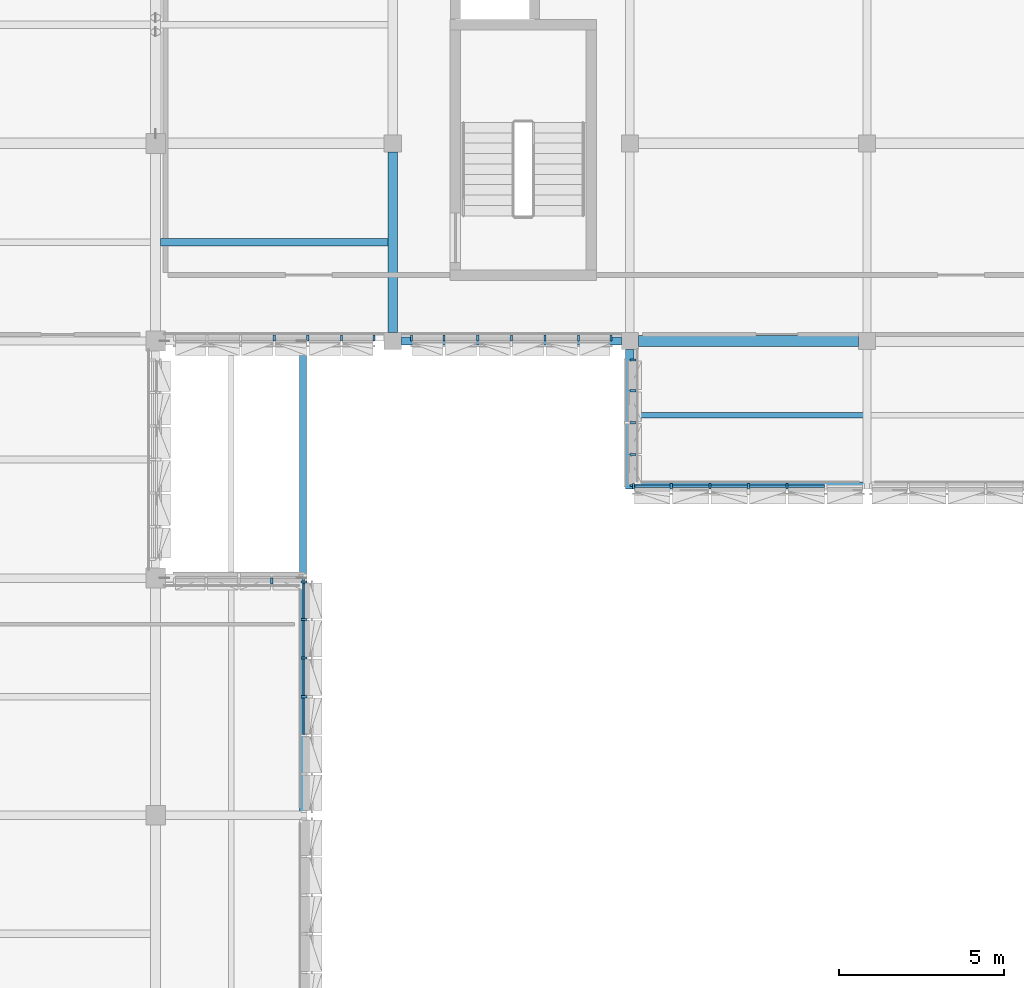
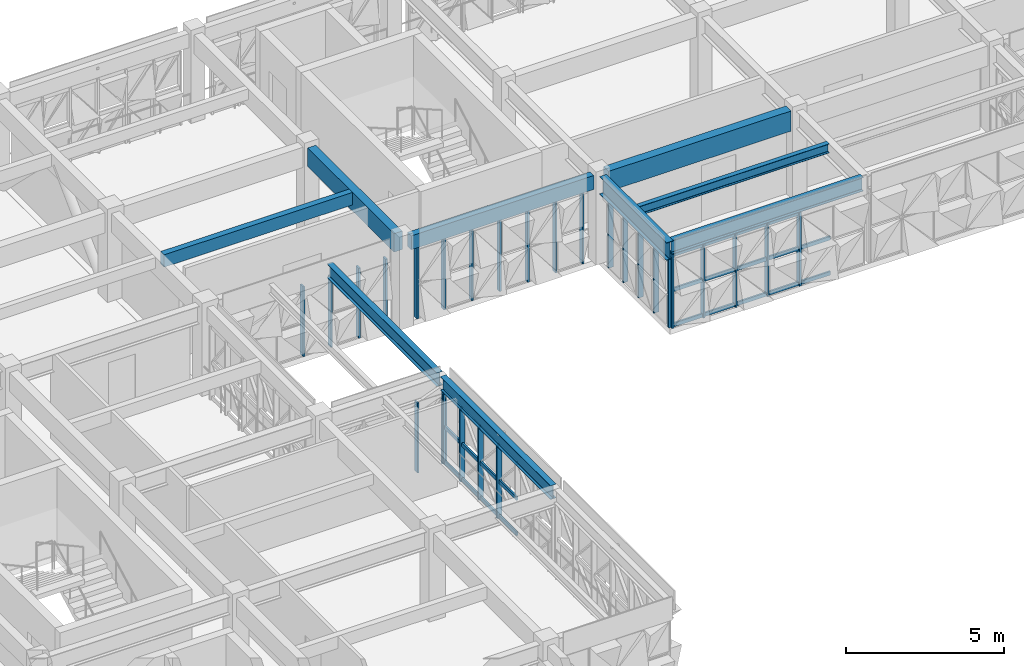
# One storey, part 8 of 99: 53 members, 9 beams, 6 elements without a shape of their own.
"""IFC4 building model written with IfcOpenShell, lengths in metres."""

from ifc_helpers import new_model, si_unit, direction, frame, origin, origin_2d, place, context, subcontext, project, spatial, rectangle, i_section, extrude, material, material_profile, profile_set, type_object, element, aggregate, save


model = new_model("IFC4")

# Units and contexts
model_context = context("Model", 3, precision=1e-05, world=origin(), true_north=direction((0.0, 1.0)))
body_context = subcontext(model_context, "Body", "Model", "MODEL_VIEW")
ifc_project = project(units=[si_unit("LENGTHUNIT", "METRE"), si_unit("AREAUNIT", "SQUARE_METRE"), si_unit("VOLUMEUNIT", "CUBIC_METRE"), si_unit("PLANEANGLEUNIT", "RADIAN"), si_unit("MASSUNIT", "GRAM", prefix="KILO")], contexts=[model_context])

# Site, building, storey
site_placement = place(None, origin())
site = spatial("IfcSite", under=ifc_project, at=site_placement, CompositionType="ELEMENT")
building_placement = place(site_placement, origin())
building = spatial("IfcBuilding", under=site, at=building_placement, Name="Alvorim Cloister Faculty of Sciences", CompositionType="ELEMENT")
storey_placement = place(building_placement, frame((0.0, 0.0, 12.14990234375)))
storey = spatial("IfcBuildingStorey", under=building, at=storey_placement, Name="L03", CompositionType="ELEMENT", Elevation=12.14990234375)

# Beams
ifc_material_1 = material(Name="Glulam GL32h", Category="wood")
ifc_material_profile_1 = material_profile(ifc_material_1, rectangle(XDim=0.300048828125, YDim=0.719970703125, at=origin_2d()), Name="GL32-BM-300x720")
ifc_profile_set_1 = profile_set([ifc_material_profile_1], Name="Glulam GL32h")
beam_type_1 = type_object("IfcBeamType", Name="BM-GL-300x720", PredefinedType="BEAM", material=ifc_profile_set_1)
beam_1_placement = place(storey_placement, frame((36.0, 43.4599609375, 3.030029296875), z_axis=(0.0, 1.0, 0.0), x_axis=(-1.0, 0.0, 0.0)))
element("IfcBeam", 1, at=beam_1_placement, inside=storey, type_object=beam_type_1, Name="L03 Primary Girder BM-1644", PredefinedType="BEAM", context=body_context, shape_type="SweptSolid", body=[
    extrude(rectangle(XDim=0.300048828125, YDim=0.719970703125, at=origin_2d()), origin(), (0.0, 0.0, 1.0), 5.47998046875),
])
ifc_material_profile_2 = material_profile(ifc_material_1, rectangle(XDim=0.320068359375, YDim=0.780029296875, at=origin_2d()), Name="GL32-BM-320x780")
ifc_profile_set_2 = profile_set([ifc_material_profile_2], Name="Glulam GL32h")
beam_type_2 = type_object("IfcBeamType", Name="BM-GL-320x780", PredefinedType="BEAM", material=ifc_profile_set_2)
beam_2_placement = place(storey_placement, frame((43.4599609375, 43.199951171875, 3.0), z_axis=(1.0, 0.0, 0.0), x_axis=(0.0, 1.0, 0.0)))
element("IfcBeam", 2, at=beam_2_placement, inside=storey, type_object=beam_type_2, Name="L03 Primary Beam BM-1539", PredefinedType="BEAM", context=body_context, shape_type="SweptSolid", body=[
    extrude(rectangle(XDim=0.320068359375, YDim=0.780029296875, at=origin_2d()), origin(), (0.0, 0.0, 1.0), 6.679931640625),
])
ifc_material_2 = material(Name="Glulam GL28h", Category="wood")
ifc_material_profile_3 = material_profile(ifc_material_2, rectangle(XDim=0.219970703125, YDim=0.47998046875, at=origin_2d()), Name="GL28-JST-220x480")
ifc_profile_set_3 = profile_set([ifc_material_profile_3], Name="Glulam GL28h")
beam_type_3 = type_object("IfcBeamType", Name="BM-JST-GL-220x480", PredefinedType="JOIST", material=ifc_profile_set_3)
beam_3_placement = place(storey_placement, frame((28.949951171875, 46.199951171875, 3.150146484375), z_axis=(1.0, 0.0, 0.0), x_axis=(0.0, 1.0, 0.0)))
element("IfcBeam", 3, at=beam_3_placement, inside=storey, type_object=beam_type_3, Name="L03 Secondary Floor Joist BM-1710", PredefinedType="JOIST", context=body_context, shape_type="SweptSolid", body=[
    extrude(rectangle(XDim=0.219970703125, YDim=0.47998046875, at=origin_2d()), origin(), (0.0, 0.0, 1.0), 6.900146484375),
])
ifc_material_profile_4 = material_profile(ifc_material_2, rectangle(XDim=0.239990234375, YDim=0.5400390625, at=origin_2d()), Name="GL28-SPD-240x540")
ifc_profile_set_4 = profile_set([ifc_material_profile_4], Name="Glulam GL28h")
beam_type_4 = type_object("IfcBeamType", Name="BM-SPD-GL-240x540", PredefinedType="SPANDREL", material=ifc_profile_set_4)
beam_4_placement = place(storey_placement, frame((36.260009765625, 43.199951171875, 3.1201171875), z_axis=(1.0, 0.0, 0.0), x_axis=(0.0, 1.0, 0.0)))
element("IfcBeam", 4, at=beam_4_placement, inside=storey, type_object=beam_type_4, Name="L03 Primary Beam BM-1538", PredefinedType="SPANDREL", context=body_context, shape_type="SweptSolid", body=[
    extrude(rectangle(XDim=0.239990234375, YDim=0.5400390625, at=origin_2d()), origin(), (0.0, 0.0, 1.0), 6.679931640625),
])
ifc_material_3 = material(Name="Steel ASTM A572 Grade 50", Category="steel")
ifc_material_profile_5 = material_profile(ifc_material_3, i_section(OverallWidth=0.1708984375, OverallDepth=0.35498046875, WebThickness=0.007080078125, FlangeThickness=0.01171875, FilletRadius=0.012939453125, at=origin_2d()), Name="W360x51.0")
ifc_profile_set_5 = profile_set([ifc_material_profile_5], Name="Steel ASTM A572 Grade 50")
beam_type_5 = type_object("IfcBeamType", Name="BM-STL-W360", PredefinedType="JOIST", material=ifc_profile_set_5)
beam_5_placement = place(storey_placement, frame((43.31005859375, 40.949951171875, 3.212646484375), z_axis=(1.0, 0.0, 0.0), x_axis=(0.0, 1.0, 0.0)))
element("IfcBeam", 5, at=beam_5_placement, inside=storey, type_object=beam_type_5, Name="L03 Cantilever Deck Joist BM-0058", PredefinedType="JOIST", context=body_context, shape_type="SweptSolid", body=[
    extrude(i_section(OverallWidth=0.1708984375, OverallDepth=0.35498046875, WebThickness=0.007080078125, FlangeThickness=0.01171875, FilletRadius=0.012939453125, at=origin_2d()), origin(), (0.0, 0.0, 1.0), 6.97998046875),
])
ifc_material_profile_6 = material_profile(ifc_material_3, i_section(OverallWidth=0.208984375, OverallDepth=0.532958984375, WebThickness=0.01025390625, FlangeThickness=0.015625, FilletRadius=0.01611328125, at=origin_2d()), Name="W530x92.0")
ifc_profile_set_6 = profile_set([ifc_material_profile_6], Name="Steel ASTM A572 Grade 50")
beam_type_6 = type_object("IfcBeamType", Name="BM-STL-W530", PredefinedType="BEAM", material=ifc_profile_set_6)
for number, where, z_axis, x_axis, name in (
    (6, (33.280029296875, 28.909912109375, 3.12353515625), (0.0, 1.0, 0.0), (-1.0, 0.0, 0.0), "L03 Cantilever Tip Header Girder BM-0029"),
    (7, (43.31005859375, 38.820068359375, 3.12353515625), (1.0, 0.0, 0.0), (0.0, 1.0, 0.0), "L03 Cantilever Tip Header Girder BM-0057"),
    (8, (33.280029296875, 36.110107421875, 3.12353515625), (0.0, 1.0, 0.0), (-1.0, 0.0, 0.0), "L03 Cantilever Tip Header Girder BM-0129"),
):
    element("IfcBeam", number, at=place(storey_placement, frame(where, z_axis=z_axis, x_axis=x_axis)), inside=storey, type_object=beam_type_6, Name=name, PredefinedType="BEAM", context=body_context, shape_type="SweptSolid", body=[
        extrude(i_section(OverallWidth=0.208984375, OverallDepth=0.532958984375, WebThickness=0.01025390625, FlangeThickness=0.015625, FilletRadius=0.01611328125, at=origin_2d()), origin(), (0.0, 0.0, 1.0), 6.97998046875),
    ])
ifc_material_profile_7 = material_profile(ifc_material_3, i_section(OverallWidth=0.25390625, OverallDepth=0.68408203125, WebThickness=0.012451171875, FlangeThickness=0.01904296875, FilletRadius=0.01904296875, at=origin_2d()), Name="W690x140.0")
ifc_profile_set_7 = profile_set([ifc_material_profile_7], Name="Steel ASTM A572 Grade 50")
beam_type_7 = type_object("IfcBeamType", Name="BM-STL-W690", PredefinedType="BEAM", material=ifc_profile_set_7)
beam_6_placement = place(storey_placement, frame((43.199951171875, 38.699951171875, 3.048095703125), z_axis=(0.0, 1.0, 0.0), x_axis=(-1.0, 0.0, 0.0)))
element("IfcBeam", 9, at=beam_6_placement, inside=storey, type_object=beam_type_7, Name="L03 Cantilever Overhang Girder BM-0052", PredefinedType="BEAM", context=body_context, shape_type="SweptSolid", body=[
    extrude(i_section(OverallWidth=0.25390625, OverallDepth=0.68408203125, WebThickness=0.012451171875, FlangeThickness=0.01904296875, FilletRadius=0.01904296875, at=origin_2d()), origin(), (0.0, 0.0, 1.0), 4.239990234375),
])

# Curtain wall, members
ifc_material_4 = material(Name="Aluminium and Low-E Glass Curtain Wall", Category="aluminium")
curtain_wall_type_1 = type_object("IfcCurtainWallType", Name="CW-TRI-7040x2857", PredefinedType="USERDEFINED", material=ifc_material_4)
curtain_wall_1_placement = place(storey_placement, origin())
curtain_wall_1 = element("IfcCurtainWall", 10, at=curtain_wall_1_placement, inside=storey, type_object=curtain_wall_type_1, Name="L03 Diagonal Cassette Curtain Wall CW-0135", ObjectType="UNITISED CURTAIN WALL", PredefinedType="USERDEFINED")
ifc_material_5 = material(Name="Aluminium Alloy 6063-T6", Category="aluminium")
ifc_material_profile_8 = material_profile(ifc_material_5, rectangle(XDim=0.06494140625, YDim=0.179931640625, at=origin_2d()), Name="ALU-MUL-65x180")
ifc_profile_set_8 = profile_set([ifc_material_profile_8], Name="Aluminium Alloy 6063-T6")
member_type_1 = type_object("IfcMemberType", Name="CW-MUL-65x180", PredefinedType="MULLION", material=ifc_profile_set_8)
member_1_placement = place(storey_placement, frame((43.3125, 38.7900390625, 0.0), z_axis=(0.0, 0.0, 1.0), x_axis=(1.0, 0.0, 0.0)))
member_1 = element("IfcMember", 11, at=member_1_placement, type_object=member_type_1, Name="CW-0135 Mullion 1", PredefinedType="MULLION", context=body_context, shape_type="SweptSolid", body=[
    extrude(rectangle(XDim=0.06494140625, YDim=0.179931640625, at=origin_2d()), origin(), (0.0, 0.0, 1.0), 2.857177734375),
])
member_2_placement = place(storey_placement, frame((44.453369140625, 38.7900390625, 0.0), z_axis=(0.0, 0.0, 1.0), x_axis=(1.0, 0.0, 0.0)))
member_2 = element("IfcMember", 12, at=member_2_placement, type_object=member_type_1, Name="CW-0135 Mullion 2", PredefinedType="MULLION", context=body_context, shape_type="SweptSolid", body=[
    extrude(rectangle(XDim=0.06494140625, YDim=0.179931640625, at=origin_2d()), origin(), (0.0, 0.0, 1.0), 2.857177734375),
])
member_3_placement = place(storey_placement, frame((45.626708984375, 38.7900390625, 0.0), z_axis=(0.0, 0.0, 1.0), x_axis=(1.0, 0.0, 0.0)))
member_3 = element("IfcMember", 13, at=member_3_placement, type_object=member_type_1, Name="CW-0135 Mullion 3", PredefinedType="MULLION", context=body_context, shape_type="SweptSolid", body=[
    extrude(rectangle(XDim=0.06494140625, YDim=0.179931640625, at=origin_2d()), origin(), (0.0, 0.0, 1.0), 2.857177734375),
])
member_4_placement = place(storey_placement, frame((46.800048828125, 38.7900390625, 0.0), z_axis=(0.0, 0.0, 1.0), x_axis=(1.0, 0.0, 0.0)))
member_4 = element("IfcMember", 14, at=member_4_placement, type_object=member_type_1, Name="CW-0135 Mullion 4", PredefinedType="MULLION", context=body_context, shape_type="SweptSolid", body=[
    extrude(rectangle(XDim=0.06494140625, YDim=0.179931640625, at=origin_2d()), origin(), (0.0, 0.0, 1.0), 2.857177734375),
])
member_5_placement = place(storey_placement, frame((47.973388671875, 38.7900390625, 0.0), z_axis=(0.0, 0.0, 1.0), x_axis=(1.0, 0.0, 0.0)))
member_5 = element("IfcMember", 15, at=member_5_placement, type_object=member_type_1, Name="CW-0135 Mullion 5", PredefinedType="MULLION", context=body_context, shape_type="SweptSolid", body=[
    extrude(rectangle(XDim=0.06494140625, YDim=0.179931640625, at=origin_2d()), origin(), (0.0, 0.0, 1.0), 2.857177734375),
])

curtain_wall_type_2 = type_object("IfcCurtainWallType", Name="CW-TRI-3880x2706", PredefinedType="USERDEFINED", material=ifc_material_4)
curtain_wall_2_placement = place(storey_placement, origin())
curtain_wall_2 = element("IfcCurtainWall", 16, at=curtain_wall_2_placement, inside=storey, type_object=curtain_wall_type_2, Name="L03 Diagonal Cassette Curtain Wall CW-0136", ObjectType="UNITISED CURTAIN WALL", PredefinedType="USERDEFINED")
member_6_placement = place(storey_placement, frame((43.2900390625, 38.8125, 0.0), z_axis=(0.0, 0.0, 1.0), x_axis=(0.0, 1.0, 0.0)))
member_6 = element("IfcMember", 17, at=member_6_placement, type_object=member_type_1, Name="CW-0136 Mullion 1", PredefinedType="MULLION", context=body_context, shape_type="SweptSolid", body=[
    extrude(rectangle(XDim=0.06494140625, YDim=0.179931640625, at=origin_2d()), origin(), (0.0, 0.0, 1.0), 2.7060546875),
])
member_7_placement = place(storey_placement, frame((43.2900390625, 39.75, 0.0), z_axis=(0.0, 0.0, 1.0), x_axis=(0.0, 1.0, 0.0)))
member_7 = element("IfcMember", 18, at=member_7_placement, type_object=member_type_1, Name="CW-0136 Mullion 2", PredefinedType="MULLION", context=body_context, shape_type="SweptSolid", body=[
    extrude(rectangle(XDim=0.06494140625, YDim=0.179931640625, at=origin_2d()), origin(), (0.0, 0.0, 1.0), 2.7060546875),
])
member_8_placement = place(storey_placement, frame((43.2900390625, 40.719970703125, 0.0), z_axis=(0.0, 0.0, 1.0), x_axis=(0.0, 1.0, 0.0)))
member_8 = element("IfcMember", 19, at=member_8_placement, type_object=member_type_1, Name="CW-0136 Mullion 3", PredefinedType="MULLION", context=body_context, shape_type="SweptSolid", body=[
    extrude(rectangle(XDim=0.06494140625, YDim=0.179931640625, at=origin_2d()), origin(), (0.0, 0.0, 1.0), 2.7060546875),
])
member_9_placement = place(storey_placement, frame((43.2900390625, 41.68994140625, 0.0), z_axis=(0.0, 0.0, 1.0), x_axis=(0.0, 1.0, 0.0)))
member_9 = element("IfcMember", 20, at=member_9_placement, type_object=member_type_1, Name="CW-0136 Mullion 4", PredefinedType="MULLION", context=body_context, shape_type="SweptSolid", body=[
    extrude(rectangle(XDim=0.06494140625, YDim=0.179931640625, at=origin_2d()), origin(), (0.0, 0.0, 1.0), 2.7060546875),
])
member_10_placement = place(storey_placement, frame((43.2900390625, 42.62744140625, 0.0), z_axis=(0.0, 0.0, 1.0), x_axis=(0.0, 1.0, 0.0)))
member_10 = element("IfcMember", 21, at=member_10_placement, type_object=member_type_1, Name="CW-0136 Mullion 5", PredefinedType="MULLION", context=body_context, shape_type="SweptSolid", body=[
    extrude(rectangle(XDim=0.06494140625, YDim=0.179931640625, at=origin_2d()), origin(), (0.0, 0.0, 1.0), 2.7060546875),
])
aggregate(curtain_wall_2, [member_6, member_7, member_8, member_9, member_10])

curtain_wall_type_3 = type_object("IfcCurtainWallType", Name="CW-TRI-6120x2850", PredefinedType="USERDEFINED", material=ifc_material_4)
curtain_wall_3_placement = place(storey_placement, origin())
curtain_wall_3 = element("IfcCurtainWall", 22, at=curtain_wall_3_placement, inside=storey, type_object=curtain_wall_type_3, Name="L03 Diagonal Cassette Curtain Wall CW-0137", ObjectType="UNITISED CURTAIN WALL", PredefinedType="USERDEFINED")
member_11_placement = place(storey_placement, frame((36.572509765625, 43.2900390625, 0.0), z_axis=(0.0, 0.0, 1.0), x_axis=(1.0, 0.0, 0.0)))
member_11 = element("IfcMember", 23, at=member_11_placement, type_object=member_type_1, Name="CW-0137 Mullion 1", PredefinedType="MULLION", context=body_context, shape_type="SweptSolid", body=[
    extrude(rectangle(XDim=0.06494140625, YDim=0.179931640625, at=origin_2d()), origin(), (0.0, 0.0, 1.0), 2.85009765625),
])
member_12_placement = place(storey_placement, frame((37.56005859375, 43.2900390625, 0.0), z_axis=(0.0, 0.0, 1.0), x_axis=(1.0, 0.0, 0.0)))
member_12 = element("IfcMember", 24, at=member_12_placement, type_object=member_type_1, Name="CW-0137 Mullion 2", PredefinedType="MULLION", context=body_context, shape_type="SweptSolid", body=[
    extrude(rectangle(XDim=0.06494140625, YDim=0.179931640625, at=origin_2d()), origin(), (0.0, 0.0, 1.0), 2.85009765625),
])
member_13_placement = place(storey_placement, frame((38.580078125, 43.2900390625, 0.0), z_axis=(0.0, 0.0, 1.0), x_axis=(1.0, 0.0, 0.0)))
member_13 = element("IfcMember", 25, at=member_13_placement, type_object=member_type_1, Name="CW-0137 Mullion 3", PredefinedType="MULLION", context=body_context, shape_type="SweptSolid", body=[
    extrude(rectangle(XDim=0.06494140625, YDim=0.179931640625, at=origin_2d()), origin(), (0.0, 0.0, 1.0), 2.85009765625),
])
member_14_placement = place(storey_placement, frame((39.60009765625, 43.2900390625, 0.0), z_axis=(0.0, 0.0, 1.0), x_axis=(1.0, 0.0, 0.0)))
member_14 = element("IfcMember", 26, at=member_14_placement, type_object=member_type_1, Name="CW-0137 Mullion 4", PredefinedType="MULLION", context=body_context, shape_type="SweptSolid", body=[
    extrude(rectangle(XDim=0.06494140625, YDim=0.179931640625, at=origin_2d()), origin(), (0.0, 0.0, 1.0), 2.85009765625),
])
member_15_placement = place(storey_placement, frame((40.6201171875, 43.2900390625, 0.0), z_axis=(0.0, 0.0, 1.0), x_axis=(1.0, 0.0, 0.0)))
member_15 = element("IfcMember", 27, at=member_15_placement, type_object=member_type_1, Name="CW-0137 Mullion 5", PredefinedType="MULLION", context=body_context, shape_type="SweptSolid", body=[
    extrude(rectangle(XDim=0.06494140625, YDim=0.179931640625, at=origin_2d()), origin(), (0.0, 0.0, 1.0), 2.85009765625),
])
member_16_placement = place(storey_placement, frame((41.639892578125, 43.2900390625, 0.0), z_axis=(0.0, 0.0, 1.0), x_axis=(1.0, 0.0, 0.0)))
member_16 = element("IfcMember", 28, at=member_16_placement, type_object=member_type_1, Name="CW-0137 Mullion 6", PredefinedType="MULLION", context=body_context, shape_type="SweptSolid", body=[
    extrude(rectangle(XDim=0.06494140625, YDim=0.179931640625, at=origin_2d()), origin(), (0.0, 0.0, 1.0), 2.85009765625),
])
member_17_placement = place(storey_placement, frame((42.62744140625, 43.2900390625, 0.0), z_axis=(0.0, 0.0, 1.0), x_axis=(1.0, 0.0, 0.0)))
member_17 = element("IfcMember", 29, at=member_17_placement, type_object=member_type_1, Name="CW-0137 Mullion 7", PredefinedType="MULLION", context=body_context, shape_type="SweptSolid", body=[
    extrude(rectangle(XDim=0.06494140625, YDim=0.179931640625, at=origin_2d()), origin(), (0.0, 0.0, 1.0), 2.85009765625),
])
aggregate(curtain_wall_3, [member_11, member_12, member_13, member_14, member_15, member_16, member_17])

curtain_wall_type_4 = type_object("IfcCurtainWallType", Name="CW-TRI-6120x2706", PredefinedType="USERDEFINED", material=ifc_material_4)
curtain_wall_4_placement = place(storey_placement, origin())
curtain_wall_4 = element("IfcCurtainWall", 30, at=curtain_wall_4_placement, inside=storey, type_object=curtain_wall_type_4, Name="L03 Diagonal Cassette Curtain Wall CW-0138", ObjectType="UNITISED CURTAIN WALL", PredefinedType="USERDEFINED")
member_18_placement = place(storey_placement, frame((32.39990234375, 43.2900390625, 0.0), z_axis=(0.0, 0.0, 1.0), x_axis=(1.0, 0.0, 0.0)))
member_18 = element("IfcMember", 31, at=member_18_placement, type_object=member_type_1, Name="CW-0138 Mullion 4", PredefinedType="MULLION", context=body_context, shape_type="SweptSolid", body=[
    extrude(rectangle(XDim=0.06494140625, YDim=0.179931640625, at=origin_2d()), origin(), (0.0, 0.0, 1.0), 2.7060546875),
])
member_19_placement = place(storey_placement, frame((33.419921875, 43.2900390625, 0.0), z_axis=(0.0, 0.0, 1.0), x_axis=(1.0, 0.0, 0.0)))
member_19 = element("IfcMember", 32, at=member_19_placement, type_object=member_type_1, Name="CW-0138 Mullion 5", PredefinedType="MULLION", context=body_context, shape_type="SweptSolid", body=[
    extrude(rectangle(XDim=0.06494140625, YDim=0.179931640625, at=origin_2d()), origin(), (0.0, 0.0, 1.0), 2.7060546875),
])
member_20_placement = place(storey_placement, frame((34.43994140625, 43.2900390625, 0.0), z_axis=(0.0, 0.0, 1.0), x_axis=(1.0, 0.0, 0.0)))
member_20 = element("IfcMember", 33, at=member_20_placement, type_object=member_type_1, Name="CW-0138 Mullion 6", PredefinedType="MULLION", context=body_context, shape_type="SweptSolid", body=[
    extrude(rectangle(XDim=0.06494140625, YDim=0.179931640625, at=origin_2d()), origin(), (0.0, 0.0, 1.0), 2.7060546875),
])
member_21_placement = place(storey_placement, frame((35.427490234375, 43.2900390625, 0.0), z_axis=(0.0, 0.0, 1.0), x_axis=(1.0, 0.0, 0.0)))
member_21 = element("IfcMember", 34, at=member_21_placement, type_object=member_type_1, Name="CW-0138 Mullion 7", PredefinedType="MULLION", context=body_context, shape_type="SweptSolid", body=[
    extrude(rectangle(XDim=0.06494140625, YDim=0.179931640625, at=origin_2d()), origin(), (0.0, 0.0, 1.0), 2.7060546875),
])
aggregate(curtain_wall_4, [member_18, member_19, member_20, member_21])

curtain_wall_type_5 = type_object("IfcCurtainWallType", Name="CW-TRI-3980x2706", PredefinedType="USERDEFINED", material=ifc_material_4)
curtain_wall_5_placement = place(storey_placement, origin())
curtain_wall_5 = element("IfcCurtainWall", 35, at=curtain_wall_5_placement, inside=storey, type_object=curtain_wall_type_5, Name="L03 Diagonal Cassette Curtain Wall CW-0140", ObjectType="UNITISED CURTAIN WALL", PredefinedType="USERDEFINED")
member_22_placement = place(storey_placement, frame((32.324951171875, 35.909912109375, 0.0), z_axis=(0.0, 0.0, 1.0), x_axis=(1.0, 0.0, 0.0)))
member_22 = element("IfcMember", 36, at=member_22_placement, type_object=member_type_1, Name="CW-0140 Mullion 4", PredefinedType="MULLION", context=body_context, shape_type="SweptSolid", body=[
    extrude(rectangle(XDim=0.06494140625, YDim=0.179931640625, at=origin_2d()), origin(), (0.0, 0.0, 1.0), 2.7060546875),
])
member_23_placement = place(storey_placement, frame((33.28759765625, 35.909912109375, 0.0), z_axis=(0.0, 0.0, 1.0), x_axis=(1.0, 0.0, 0.0)))
member_23 = element("IfcMember", 37, at=member_23_placement, type_object=member_type_1, Name="CW-0140 Mullion 5", PredefinedType="MULLION", context=body_context, shape_type="SweptSolid", body=[
    extrude(rectangle(XDim=0.06494140625, YDim=0.179931640625, at=origin_2d()), origin(), (0.0, 0.0, 1.0), 2.7060546875),
])
aggregate(curtain_wall_5, [member_22, member_23])

curtain_wall_6_placement = place(storey_placement, origin())
curtain_wall_6 = element("IfcCurtainWall", 38, at=curtain_wall_6_placement, inside=storey, type_object=curtain_wall_type_1, Name="L03 Diagonal Cassette Curtain Wall CW-0141", ObjectType="UNITISED CURTAIN WALL", PredefinedType="USERDEFINED")
member_24_placement = place(storey_placement, frame((33.31005859375, 32.39990234375, 0.0), z_axis=(0.0, 0.0, 1.0), x_axis=(0.0, 1.0, 0.0)))
member_24 = element("IfcMember", 39, at=member_24_placement, type_object=member_type_1, Name="CW-0141 Mullion 4", PredefinedType="MULLION", context=body_context, shape_type="SweptSolid", body=[
    extrude(rectangle(XDim=0.06494140625, YDim=0.179931640625, at=origin_2d()), origin(), (0.0, 0.0, 1.0), 2.857177734375),
])
member_25_placement = place(storey_placement, frame((33.31005859375, 33.5732421875, 0.0), z_axis=(0.0, 0.0, 1.0), x_axis=(0.0, 1.0, 0.0)))
member_25 = element("IfcMember", 40, at=member_25_placement, type_object=member_type_1, Name="CW-0141 Mullion 5", PredefinedType="MULLION", context=body_context, shape_type="SweptSolid", body=[
    extrude(rectangle(XDim=0.06494140625, YDim=0.179931640625, at=origin_2d()), origin(), (0.0, 0.0, 1.0), 2.857177734375),
])
member_26_placement = place(storey_placement, frame((33.31005859375, 34.74658203125, 0.0), z_axis=(0.0, 0.0, 1.0), x_axis=(0.0, 1.0, 0.0)))
member_26 = element("IfcMember", 41, at=member_26_placement, type_object=member_type_1, Name="CW-0141 Mullion 6", PredefinedType="MULLION", context=body_context, shape_type="SweptSolid", body=[
    extrude(rectangle(XDim=0.06494140625, YDim=0.179931640625, at=origin_2d()), origin(), (0.0, 0.0, 1.0), 2.857177734375),
])
member_27_placement = place(storey_placement, frame((33.31005859375, 35.887451171875, 0.0), z_axis=(0.0, 0.0, 1.0), x_axis=(0.0, 1.0, 0.0)))
member_27 = element("IfcMember", 42, at=member_27_placement, type_object=member_type_1, Name="CW-0141 Mullion 7", PredefinedType="MULLION", context=body_context, shape_type="SweptSolid", body=[
    extrude(rectangle(XDim=0.06494140625, YDim=0.179931640625, at=origin_2d()), origin(), (0.0, 0.0, 1.0), 2.857177734375),
])

# Member
ifc_material_profile_9 = material_profile(ifc_material_5, rectangle(XDim=0.06494140625, YDim=0.139892578125, at=origin_2d()), Name="ALU-TRN-65x140")
ifc_profile_set_9 = profile_set([ifc_material_profile_9], Name="Aluminium Alloy 6063-T6")
member_type_2 = type_object("IfcMemberType", Name="CW-TRN-65x140", PredefinedType="USERDEFINED", material=ifc_profile_set_9)
member_28_placement = place(storey_placement, frame((43.344970703125, 38.7900390625, 0.070068359375), z_axis=(1.0, 0.0, 0.0), x_axis=(0.0, 1.0, 0.0)))
member_28 = element("IfcMember", 43, at=member_28_placement, type_object=member_type_2, Name="CW-0135 Transom 1.1", ObjectType="TRANSOM", PredefinedType="USERDEFINED", context=body_context, shape_type="SweptSolid", body=[
    extrude(rectangle(XDim=0.06494140625, YDim=0.139892578125, at=origin_2d()), origin(), (0.0, 0.0, 1.0), 1.075927734375),
])

member_29_placement = place(storey_placement, frame((43.344970703125, 38.7900390625, 1.4287109375), z_axis=(1.0, 0.0, 0.0), x_axis=(0.0, 1.0, 0.0)))
member_29 = element("IfcMember", 44, at=member_29_placement, type_object=member_type_2, Name="CW-0135 Transom 1.2", ObjectType="TRANSOM", PredefinedType="USERDEFINED", context=body_context, shape_type="SweptSolid", body=[
    extrude(rectangle(XDim=0.06494140625, YDim=0.139892578125, at=origin_2d()), origin(), (0.0, 0.0, 1.0), 1.075927734375),
])

member_30_placement = place(storey_placement, frame((43.344970703125, 38.7900390625, 2.787109375), z_axis=(1.0, 0.0, 0.0), x_axis=(0.0, 1.0, 0.0)))
member_30 = element("IfcMember", 45, at=member_30_placement, type_object=member_type_2, Name="CW-0135 Transom 1.3", ObjectType="TRANSOM", PredefinedType="USERDEFINED", context=body_context, shape_type="SweptSolid", body=[
    extrude(rectangle(XDim=0.06494140625, YDim=0.139892578125, at=origin_2d()), origin(), (0.0, 0.0, 1.0), 1.075927734375),
])

member_31_placement = place(storey_placement, frame((44.48583984375, 38.7900390625, 0.070068359375), z_axis=(1.0, 0.0, 0.0), x_axis=(0.0, 1.0, 0.0)))
member_31 = element("IfcMember", 46, at=member_31_placement, type_object=member_type_2, Name="CW-0135 Transom 2.1", ObjectType="TRANSOM", PredefinedType="USERDEFINED", context=body_context, shape_type="SweptSolid", body=[
    extrude(rectangle(XDim=0.06494140625, YDim=0.139892578125, at=origin_2d()), origin(), (0.0, 0.0, 1.0), 1.1083984375),
])

member_32_placement = place(storey_placement, frame((44.48583984375, 38.7900390625, 1.4287109375), z_axis=(1.0, 0.0, 0.0), x_axis=(0.0, 1.0, 0.0)))
member_32 = element("IfcMember", 47, at=member_32_placement, type_object=member_type_2, Name="CW-0135 Transom 2.2", ObjectType="TRANSOM", PredefinedType="USERDEFINED", context=body_context, shape_type="SweptSolid", body=[
    extrude(rectangle(XDim=0.06494140625, YDim=0.139892578125, at=origin_2d()), origin(), (0.0, 0.0, 1.0), 1.1083984375),
])

member_33_placement = place(storey_placement, frame((44.48583984375, 38.7900390625, 2.787109375), z_axis=(1.0, 0.0, 0.0), x_axis=(0.0, 1.0, 0.0)))
member_33 = element("IfcMember", 48, at=member_33_placement, type_object=member_type_2, Name="CW-0135 Transom 2.3", ObjectType="TRANSOM", PredefinedType="USERDEFINED", context=body_context, shape_type="SweptSolid", body=[
    extrude(rectangle(XDim=0.06494140625, YDim=0.139892578125, at=origin_2d()), origin(), (0.0, 0.0, 1.0), 1.1083984375),
])

member_34_placement = place(storey_placement, frame((45.6591796875, 38.7900390625, 0.070068359375), z_axis=(1.0, 0.0, 0.0), x_axis=(0.0, 1.0, 0.0)))
member_34 = element("IfcMember", 49, at=member_34_placement, type_object=member_type_2, Name="CW-0135 Transom 3.1", ObjectType="TRANSOM", PredefinedType="USERDEFINED", context=body_context, shape_type="SweptSolid", body=[
    extrude(rectangle(XDim=0.06494140625, YDim=0.139892578125, at=origin_2d()), origin(), (0.0, 0.0, 1.0), 1.1083984375),
])

member_35_placement = place(storey_placement, frame((45.6591796875, 38.7900390625, 1.4287109375), z_axis=(1.0, 0.0, 0.0), x_axis=(0.0, 1.0, 0.0)))
member_35 = element("IfcMember", 50, at=member_35_placement, type_object=member_type_2, Name="CW-0135 Transom 3.2", ObjectType="TRANSOM", PredefinedType="USERDEFINED", context=body_context, shape_type="SweptSolid", body=[
    extrude(rectangle(XDim=0.06494140625, YDim=0.139892578125, at=origin_2d()), origin(), (0.0, 0.0, 1.0), 1.1083984375),
])

member_36_placement = place(storey_placement, frame((45.6591796875, 38.7900390625, 2.787109375), z_axis=(1.0, 0.0, 0.0), x_axis=(0.0, 1.0, 0.0)))
member_36 = element("IfcMember", 51, at=member_36_placement, type_object=member_type_2, Name="CW-0135 Transom 3.3", ObjectType="TRANSOM", PredefinedType="USERDEFINED", context=body_context, shape_type="SweptSolid", body=[
    extrude(rectangle(XDim=0.06494140625, YDim=0.139892578125, at=origin_2d()), origin(), (0.0, 0.0, 1.0), 1.1083984375),
])

member_37_placement = place(storey_placement, frame((46.83251953125, 38.7900390625, 0.070068359375), z_axis=(1.0, 0.0, 0.0), x_axis=(0.0, 1.0, 0.0)))
member_37 = element("IfcMember", 52, at=member_37_placement, type_object=member_type_2, Name="CW-0135 Transom 4.1", ObjectType="TRANSOM", PredefinedType="USERDEFINED", context=body_context, shape_type="SweptSolid", body=[
    extrude(rectangle(XDim=0.06494140625, YDim=0.139892578125, at=origin_2d()), origin(), (0.0, 0.0, 1.0), 1.1083984375),
])

member_38_placement = place(storey_placement, frame((46.83251953125, 38.7900390625, 1.4287109375), z_axis=(1.0, 0.0, 0.0), x_axis=(0.0, 1.0, 0.0)))
member_38 = element("IfcMember", 53, at=member_38_placement, type_object=member_type_2, Name="CW-0135 Transom 4.2", ObjectType="TRANSOM", PredefinedType="USERDEFINED", context=body_context, shape_type="SweptSolid", body=[
    extrude(rectangle(XDim=0.06494140625, YDim=0.139892578125, at=origin_2d()), origin(), (0.0, 0.0, 1.0), 1.1083984375),
])

member_39_placement = place(storey_placement, frame((46.83251953125, 38.7900390625, 2.787109375), z_axis=(1.0, 0.0, 0.0), x_axis=(0.0, 1.0, 0.0)))
member_39 = element("IfcMember", 54, at=member_39_placement, type_object=member_type_2, Name="CW-0135 Transom 4.3", ObjectType="TRANSOM", PredefinedType="USERDEFINED", context=body_context, shape_type="SweptSolid", body=[
    extrude(rectangle(XDim=0.06494140625, YDim=0.139892578125, at=origin_2d()), origin(), (0.0, 0.0, 1.0), 1.1083984375),
])

member_40_placement = place(storey_placement, frame((48.005859375, 38.7900390625, 0.070068359375), z_axis=(1.0, 0.0, 0.0), x_axis=(0.0, 1.0, 0.0)))
member_40 = element("IfcMember", 55, at=member_40_placement, type_object=member_type_2, Name="CW-0135 Transom 5.1", ObjectType="TRANSOM", PredefinedType="USERDEFINED", context=body_context, shape_type="SweptSolid", body=[
    extrude(rectangle(XDim=0.06494140625, YDim=0.139892578125, at=origin_2d()), origin(), (0.0, 0.0, 1.0), 1.1083984375),
])

member_41_placement = place(storey_placement, frame((48.005859375, 38.7900390625, 1.4287109375), z_axis=(1.0, 0.0, 0.0), x_axis=(0.0, 1.0, 0.0)))
member_41 = element("IfcMember", 56, at=member_41_placement, type_object=member_type_2, Name="CW-0135 Transom 5.2", ObjectType="TRANSOM", PredefinedType="USERDEFINED", context=body_context, shape_type="SweptSolid", body=[
    extrude(rectangle(XDim=0.06494140625, YDim=0.139892578125, at=origin_2d()), origin(), (0.0, 0.0, 1.0), 1.1083984375),
])

aggregate(curtain_wall_1, [member_1, member_2, member_3, member_4, member_5, member_28, member_29, member_30, member_31, member_32, member_33, member_34, member_35, member_36, member_37, member_38, member_39, member_40, member_41])

member_42_placement = place(storey_placement, frame((33.31005859375, 31.25927734375, 0.070068359375), z_axis=(0.0, 1.0, 0.0), x_axis=(-1.0, 0.0, 0.0)))
member_42 = element("IfcMember", 57, at=member_42_placement, type_object=member_type_2, Name="CW-0141 Transom 3.1", ObjectType="TRANSOM", PredefinedType="USERDEFINED", context=body_context, shape_type="SweptSolid", body=[
    extrude(rectangle(XDim=0.06494140625, YDim=0.139892578125, at=origin_2d()), origin(), (0.0, 0.0, 1.0), 1.108154296875),
])

member_43_placement = place(storey_placement, frame((33.31005859375, 31.25927734375, 1.4287109375), z_axis=(0.0, 1.0, 0.0), x_axis=(-1.0, 0.0, 0.0)))
member_43 = element("IfcMember", 58, at=member_43_placement, type_object=member_type_2, Name="CW-0141 Transom 3.2", ObjectType="TRANSOM", PredefinedType="USERDEFINED", context=body_context, shape_type="SweptSolid", body=[
    extrude(rectangle(XDim=0.06494140625, YDim=0.139892578125, at=origin_2d()), origin(), (0.0, 0.0, 1.0), 1.108154296875),
])

member_44_placement = place(storey_placement, frame((33.31005859375, 31.25927734375, 2.787109375), z_axis=(0.0, 1.0, 0.0), x_axis=(-1.0, 0.0, 0.0)))
member_44 = element("IfcMember", 59, at=member_44_placement, type_object=member_type_2, Name="CW-0141 Transom 3.3", ObjectType="TRANSOM", PredefinedType="USERDEFINED", context=body_context, shape_type="SweptSolid", body=[
    extrude(rectangle(XDim=0.06494140625, YDim=0.139892578125, at=origin_2d()), origin(), (0.0, 0.0, 1.0), 1.108154296875),
])

member_45_placement = place(storey_placement, frame((33.31005859375, 32.4326171875, 0.070068359375), z_axis=(0.0, 1.0, 0.0), x_axis=(-1.0, 0.0, 0.0)))
member_45 = element("IfcMember", 60, at=member_45_placement, type_object=member_type_2, Name="CW-0141 Transom 4.1", ObjectType="TRANSOM", PredefinedType="USERDEFINED", context=body_context, shape_type="SweptSolid", body=[
    extrude(rectangle(XDim=0.06494140625, YDim=0.139892578125, at=origin_2d()), origin(), (0.0, 0.0, 1.0), 1.108154296875),
])

member_46_placement = place(storey_placement, frame((33.31005859375, 32.4326171875, 1.4287109375), z_axis=(0.0, 1.0, 0.0), x_axis=(-1.0, 0.0, 0.0)))
member_46 = element("IfcMember", 61, at=member_46_placement, type_object=member_type_2, Name="CW-0141 Transom 4.2", ObjectType="TRANSOM", PredefinedType="USERDEFINED", context=body_context, shape_type="SweptSolid", body=[
    extrude(rectangle(XDim=0.06494140625, YDim=0.139892578125, at=origin_2d()), origin(), (0.0, 0.0, 1.0), 1.108154296875),
])

member_47_placement = place(storey_placement, frame((33.31005859375, 32.4326171875, 2.787109375), z_axis=(0.0, 1.0, 0.0), x_axis=(-1.0, 0.0, 0.0)))
member_47 = element("IfcMember", 62, at=member_47_placement, type_object=member_type_2, Name="CW-0141 Transom 4.3", ObjectType="TRANSOM", PredefinedType="USERDEFINED", context=body_context, shape_type="SweptSolid", body=[
    extrude(rectangle(XDim=0.06494140625, YDim=0.139892578125, at=origin_2d()), origin(), (0.0, 0.0, 1.0), 1.108154296875),
])

member_48_placement = place(storey_placement, frame((33.31005859375, 33.605712890625, 0.070068359375), z_axis=(0.0, 1.0, 0.0), x_axis=(-1.0, 0.0, 0.0)))
member_48 = element("IfcMember", 63, at=member_48_placement, type_object=member_type_2, Name="CW-0141 Transom 5.1", ObjectType="TRANSOM", PredefinedType="USERDEFINED", context=body_context, shape_type="SweptSolid", body=[
    extrude(rectangle(XDim=0.06494140625, YDim=0.139892578125, at=origin_2d()), origin(), (0.0, 0.0, 1.0), 1.1083984375),
])

member_49_placement = place(storey_placement, frame((33.31005859375, 33.605712890625, 1.4287109375), z_axis=(0.0, 1.0, 0.0), x_axis=(-1.0, 0.0, 0.0)))
member_49 = element("IfcMember", 64, at=member_49_placement, type_object=member_type_2, Name="CW-0141 Transom 5.2", ObjectType="TRANSOM", PredefinedType="USERDEFINED", context=body_context, shape_type="SweptSolid", body=[
    extrude(rectangle(XDim=0.06494140625, YDim=0.139892578125, at=origin_2d()), origin(), (0.0, 0.0, 1.0), 1.1083984375),
])

member_50_placement = place(storey_placement, frame((33.31005859375, 33.605712890625, 2.787109375), z_axis=(0.0, 1.0, 0.0), x_axis=(-1.0, 0.0, 0.0)))
member_50 = element("IfcMember", 65, at=member_50_placement, type_object=member_type_2, Name="CW-0141 Transom 5.3", ObjectType="TRANSOM", PredefinedType="USERDEFINED", context=body_context, shape_type="SweptSolid", body=[
    extrude(rectangle(XDim=0.06494140625, YDim=0.139892578125, at=origin_2d()), origin(), (0.0, 0.0, 1.0), 1.1083984375),
])

member_51_placement = place(storey_placement, frame((33.31005859375, 34.779052734375, 0.070068359375), z_axis=(0.0, 1.0, 0.0), x_axis=(-1.0, 0.0, 0.0)))
member_51 = element("IfcMember", 66, at=member_51_placement, type_object=member_type_2, Name="CW-0141 Transom 6.1", ObjectType="TRANSOM", PredefinedType="USERDEFINED", context=body_context, shape_type="SweptSolid", body=[
    extrude(rectangle(XDim=0.06494140625, YDim=0.139892578125, at=origin_2d()), origin(), (0.0, 0.0, 1.0), 1.075927734375),
])

member_52_placement = place(storey_placement, frame((33.31005859375, 34.779052734375, 1.4287109375), z_axis=(0.0, 1.0, 0.0), x_axis=(-1.0, 0.0, 0.0)))
member_52 = element("IfcMember", 67, at=member_52_placement, type_object=member_type_2, Name="CW-0141 Transom 6.2", ObjectType="TRANSOM", PredefinedType="USERDEFINED", context=body_context, shape_type="SweptSolid", body=[
    extrude(rectangle(XDim=0.06494140625, YDim=0.139892578125, at=origin_2d()), origin(), (0.0, 0.0, 1.0), 1.075927734375),
])

member_53_placement = place(storey_placement, frame((33.31005859375, 34.779052734375, 2.787109375), z_axis=(0.0, 1.0, 0.0), x_axis=(-1.0, 0.0, 0.0)))
member_53 = element("IfcMember", 68, at=member_53_placement, type_object=member_type_2, Name="CW-0141 Transom 6.3", ObjectType="TRANSOM", PredefinedType="USERDEFINED", context=body_context, shape_type="SweptSolid", body=[
    extrude(rectangle(XDim=0.06494140625, YDim=0.139892578125, at=origin_2d()), origin(), (0.0, 0.0, 1.0), 1.075927734375),
])

aggregate(curtain_wall_6, [member_24, member_25, member_26, member_27, member_42, member_43, member_44, member_45, member_46, member_47, member_48, member_49, member_50, member_51, member_52, member_53])

save(model, "model.ifc")
